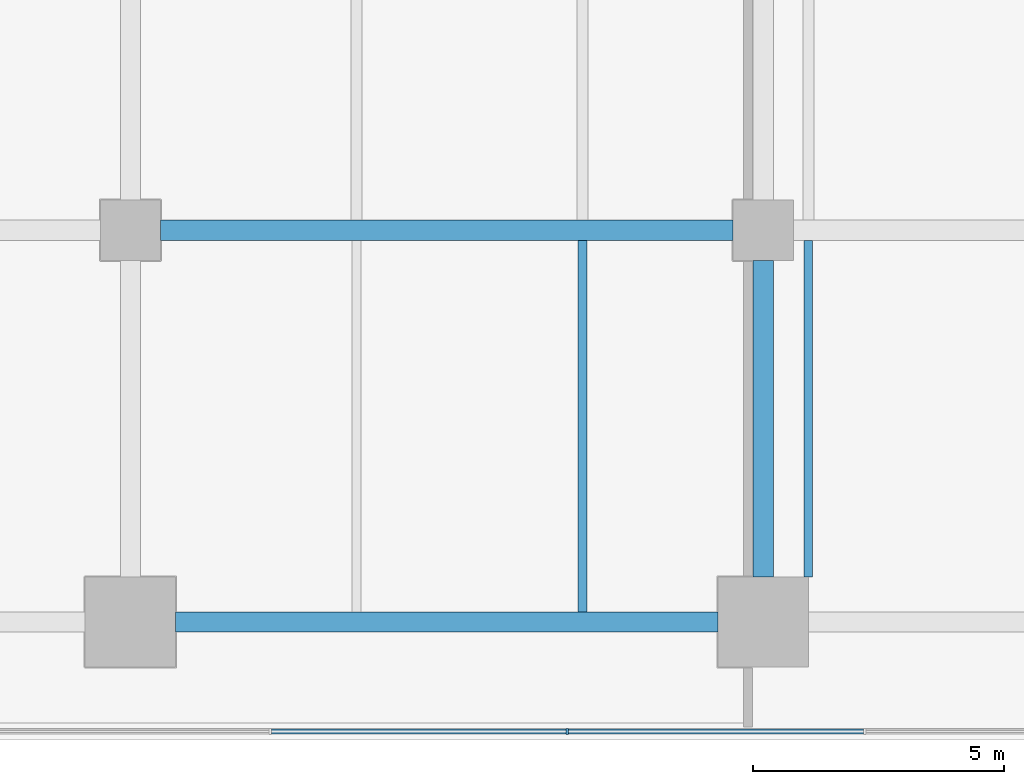
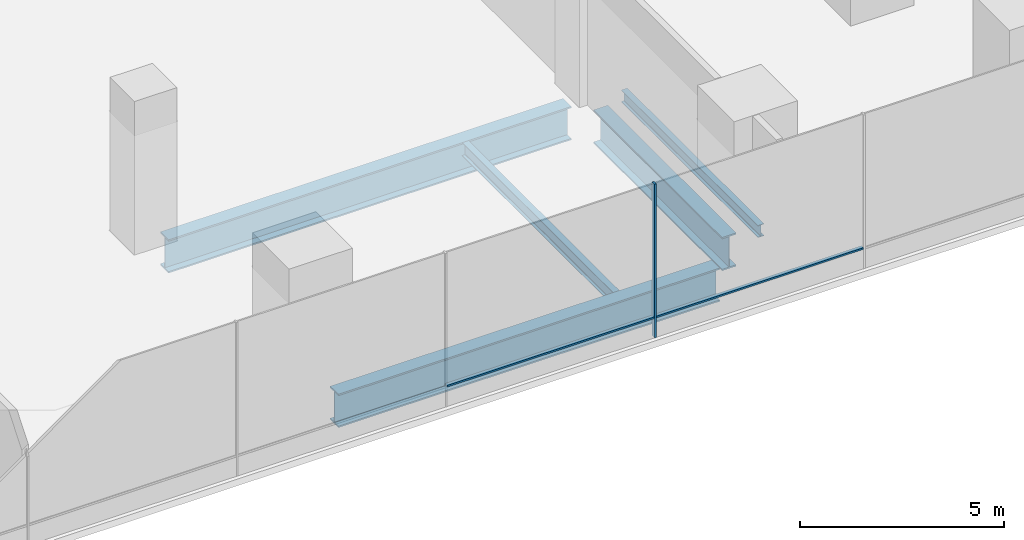
# One storey, part 7 of 28: 5 beams, 3 members, 1 element without a shape of its own.
"""IFC4 building model written with IfcOpenShell, lengths in metres."""

from ifc_helpers import new_model, si_unit, direction, frame, origin, origin_2d, place, context, subcontext, project, spatial, rectangle, i_section, extrude, material, layer, layer_set, material_profile, profile_set, type_object, element, aggregate, save


model = new_model("IFC4")

# Units and contexts
model_context = context("Model", 3, precision=1e-05, world=origin(), true_north=direction((0.0, 1.0)))
body_context = subcontext(model_context, "Body", "Model", "MODEL_VIEW")
ifc_project = project(units=[si_unit("LENGTHUNIT", "METRE"), si_unit("AREAUNIT", "SQUARE_METRE"), si_unit("VOLUMEUNIT", "CUBIC_METRE"), si_unit("PLANEANGLEUNIT", "RADIAN"), si_unit("MASSUNIT", "GRAM", prefix="KILO")], contexts=[model_context])

# Site, building, storey
site_placement = place(None, origin())
site = spatial("IfcSite", under=ifc_project, at=site_placement, CompositionType="ELEMENT")
building_placement = place(site_placement, origin())
building = spatial("IfcBuilding", under=site, at=building_placement, Name="Rattan Terrace Tower", CompositionType="ELEMENT")
storey_placement = place(building_placement, frame((0.0, 0.0, 17.39990234375)))
storey = spatial("IfcBuildingStorey", under=building, at=storey_placement, Name="L03", CompositionType="ELEMENT", Elevation=17.39990234375)

# Beams
ifc_material_1 = material(Name="Steel S355", Category="steel")
ifc_material_profile_1 = material_profile(ifc_material_1, i_section(OverallWidth=0.169921875, OverallDepth=0.360107421875, WebThickness=0.008056640625, FlangeThickness=0.0126953125, FilletRadius=0.01806640625, at=origin_2d()), Name="IPE 360")
ifc_profile_set_1 = profile_set([ifc_material_profile_1], Name="Steel S355")
beam_type_1 = type_object("IfcBeamType", Name="Frame floor beam IPE 360", PredefinedType="JOIST", material=ifc_profile_set_1)
beam_1_placement = place(storey_placement, frame((27.0, -34.0, -0.3798828125), z_axis=(0.0, 1.0, 0.0), x_axis=(-1.0, 0.0, 0.0)))
element("IfcBeam", 1, at=beam_1_placement, inside=storey, type_object=beam_type_1, Name="bm-L03-014", PredefinedType="JOIST", context=body_context, shape_type="SweptSolid", body=[
    extrude(i_section(OverallWidth=0.169921875, OverallDepth=0.360107421875, WebThickness=0.008056640625, FlangeThickness=0.0126953125, FilletRadius=0.01806640625, at=origin_2d()), origin(), (0.0, 0.0, 1.0), 6.699951171875),
])
ifc_material_2 = material(Name="Steel S355", Category="steel")
ifc_material_profile_2 = material_profile(ifc_material_2, i_section(OverallWidth=0.179931640625, OverallDepth=0.39990234375, WebThickness=0.008544921875, FlangeThickness=0.013427734375, FilletRadius=0.02099609375, at=origin_2d()), Name="IPE 400")
ifc_profile_set_2 = profile_set([ifc_material_profile_2], Name="Steel S355")
beam_type_2 = type_object("IfcBeamType", Name="Frame floor beam IPE 400", PredefinedType="JOIST", material=ifc_profile_set_2)
beam_2_placement = place(storey_placement, frame((22.5, -34.699951171875, -0.39990234375), z_axis=(0.0, 1.0, 0.0), x_axis=(-1.0, 0.0, 0.0)))
element("IfcBeam", 2, at=beam_2_placement, inside=storey, type_object=beam_type_2, Name="bm-L03-011", PredefinedType="JOIST", context=body_context, shape_type="SweptSolid", body=[
    extrude(i_section(OverallWidth=0.179931640625, OverallDepth=0.39990234375, WebThickness=0.008544921875, FlangeThickness=0.013427734375, FilletRadius=0.02099609375, at=origin_2d()), origin(), (0.0, 0.0, 1.0), 7.39990234375),
])
ifc_material_3 = material(Name="Steel S460", Category="steel")
ifc_material_profile_3 = material_profile(ifc_material_3, i_section(OverallWidth=0.39990234375, OverallDepth=1.0, WebThickness=0.01806640625, FlangeThickness=0.044921875, at=origin_2d()), Name="PG 1000x400-18-45")
ifc_profile_set_3 = profile_set([ifc_material_profile_3], Name="Steel S460")
beam_type_3 = type_object("IfcBeamType", Name="Frame podium girder PG 1000x400-18-45", PredefinedType="USERDEFINED", material=ifc_profile_set_3)
beam_3_placement = place(storey_placement, frame((14.39990234375, -34.89990234375, -0.699951171875), z_axis=(1.0, 0.0, 0.0), x_axis=(0.0, 1.0, 0.0)))
element("IfcBeam", 3, at=beam_3_placement, inside=storey, type_object=beam_type_3, Name="gdr-L03-005", ObjectType="PODIUM GIRDER", PredefinedType="USERDEFINED", context=body_context, shape_type="SweptSolid", body=[
    extrude(i_section(OverallWidth=0.39990234375, OverallDepth=1.0, WebThickness=0.01806640625, FlangeThickness=0.044921875, at=origin_2d()), origin(), (0.0, 0.0, 1.0), 10.800048828125),
])
beam_4_placement = place(storey_placement, frame((26.10009765625, -34.0, -0.699951171875), z_axis=(0.0, 1.0, 0.0), x_axis=(-1.0, 0.0, 0.0)))
element("IfcBeam", 4, at=beam_4_placement, inside=storey, type_object=beam_type_3, Name="gdr-L03-012", ObjectType="PODIUM GIRDER", PredefinedType="USERDEFINED", context=body_context, shape_type="SweptSolid", body=[
    extrude(i_section(OverallWidth=0.39990234375, OverallDepth=1.0, WebThickness=0.01806640625, FlangeThickness=0.044921875, at=origin_2d()), origin(), (0.0, 0.0, 1.0), 6.300048828125),
])
beam_5_placement = place(storey_placement, frame((14.10009765625, -27.10009765625, -0.699951171875), z_axis=(1.0, 0.0, 0.0), x_axis=(0.0, 1.0, 0.0)))
element("IfcBeam", 5, at=beam_5_placement, inside=storey, type_object=beam_type_3, Name="gdr-L03-018", ObjectType="PODIUM GIRDER", PredefinedType="USERDEFINED", context=body_context, shape_type="SweptSolid", body=[
    extrude(i_section(OverallWidth=0.39990234375, OverallDepth=1.0, WebThickness=0.01806640625, FlangeThickness=0.044921875, at=origin_2d()), origin(), (0.0, 0.0, 1.0), 11.39990234375),
])

# Curtain wall, members
ifc_material_4 = material(Name="Aluminium and glass", Category="aluminium")
ifc_layer = layer(ifc_material_4, 0.1201171875)
ifc_layer_set = layer_set([ifc_layer], Name="Station Storefront Curtain Wall")
curtain_wall_type = type_object("IfcCurtainWallType", Name="Station Storefront Curtain Wall", PredefinedType="NOTDEFINED", material=ifc_layer_set)
curtain_wall_placement = place(storey_placement, origin())
curtain_wall = element("IfcCurtainWall", 6, at=curtain_wall_placement, inside=storey, type_object=curtain_wall_type, Name="Storefront curtain wall L03-4", PredefinedType="NOTDEFINED")
ifc_material_5 = material(Name="Aluminium", Category="aluminium")
ifc_material_profile_4 = material_profile(ifc_material_5, rectangle(XDim=0.050048828125, YDim=0.1201171875, at=origin_2d()), Name="Aluminium 50x120")
ifc_profile_set_4 = profile_set([ifc_material_profile_4], Name="Aluminium")
member_type_1 = type_object("IfcMemberType", Name="Storefront CW Mullion 50x120", PredefinedType="MULLION", material=ifc_profile_set_4)
member_1_placement = place(storey_placement, frame((22.199951171875, -37.080078125, 0.0), z_axis=(0.0, 0.0, 1.0), x_axis=(1.0, 0.0, 0.0)))
member_1 = element("IfcMember", 7, at=member_1_placement, type_object=member_type_1, Name="Mullion cwl-L03-004.11", PredefinedType="MULLION", context=body_context, shape_type="SweptSolid", body=[
    extrude(rectangle(XDim=0.050048828125, YDim=0.1201171875, at=origin_2d()), origin(), (0.0, 0.0, 1.0), 4.60009765625),
])
ifc_material_6 = material(Name="Aluminium", Category="aluminium")
ifc_material_profile_5 = material_profile(ifc_material_6, rectangle(XDim=0.10009765625, YDim=0.050048828125, at=origin_2d()), Name="Aluminium 100x50")
ifc_profile_set_5 = profile_set([ifc_material_profile_5], Name="Aluminium")
member_type_2 = type_object("IfcMemberType", Name="Storefront CW Transom 100x50", PredefinedType="USERDEFINED", material=ifc_profile_set_5)
member_2_placement = place(storey_placement, frame((16.304931640625, -37.080078125, 0.60009765625), z_axis=(1.0, 0.0, 0.0), x_axis=(0.0, 1.0, 0.0)))
member_2 = element("IfcMember", 8, at=member_2_placement, type_object=member_type_2, Name="Transom cwl-L03-004.10", ObjectType="TRANSOM", PredefinedType="USERDEFINED", context=body_context, shape_type="SweptSolid", body=[
    extrude(rectangle(XDim=0.10009765625, YDim=0.050048828125, at=origin_2d()), origin(), (0.0, 0.0, 1.0), 5.8701171875),
])
member_3_placement = place(storey_placement, frame((22.22509765625, -37.080078125, 0.60009765625), z_axis=(1.0, 0.0, 0.0), x_axis=(0.0, 1.0, 0.0)))
member_3 = element("IfcMember", 9, at=member_3_placement, type_object=member_type_2, Name="Transom cwl-L03-004.11", ObjectType="TRANSOM", PredefinedType="USERDEFINED", context=body_context, shape_type="SweptSolid", body=[
    extrude(rectangle(XDim=0.10009765625, YDim=0.050048828125, at=origin_2d()), origin(), (0.0, 0.0, 1.0), 5.869873046875),
])
aggregate(curtain_wall, [member_1, member_2, member_3])

save(model, "model.ifc")
